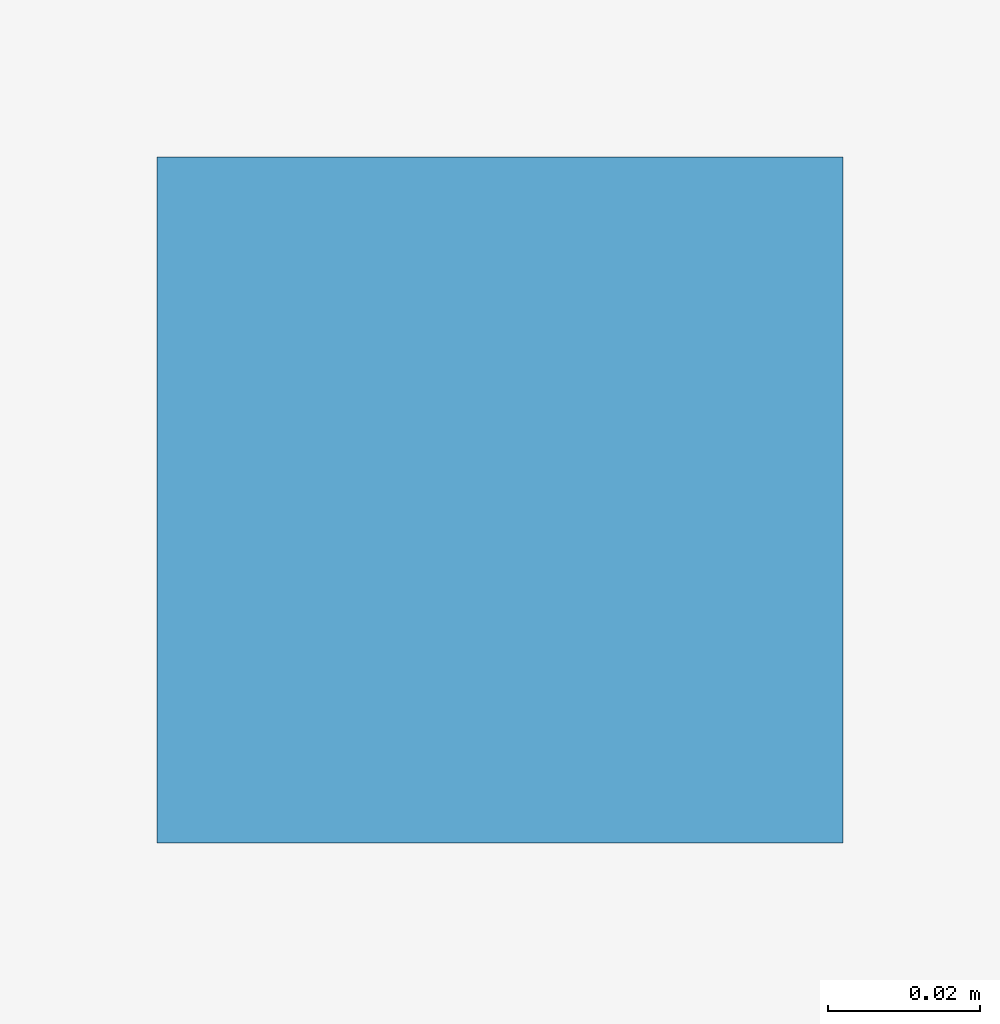
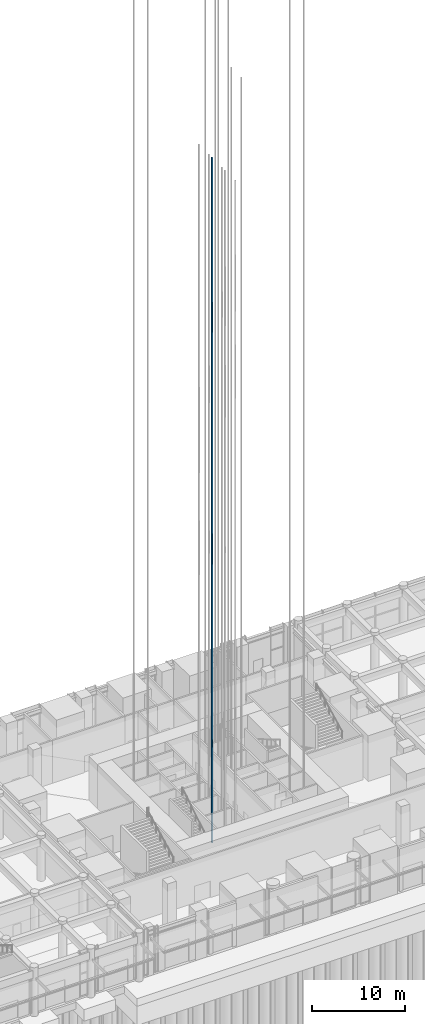
# One storey, part 30 of 46: 1 discrete accessory.
"""IFC4 building model written with IfcOpenShell, lengths in metres."""

from ifc_helpers import new_model, si_unit, direction, frame, origin, origin_2d, place, context, subcontext, project, spatial, rectangle, extrude, element, save


model = new_model("IFC4")

# Units and contexts
model_context = context("Model", 3, precision=1e-05, world=origin(), true_north=direction((0.0, 1.0)))
body_context = subcontext(model_context, "Body", "Model", "MODEL_VIEW")
ifc_project = project(units=[si_unit("LENGTHUNIT", "METRE"), si_unit("AREAUNIT", "SQUARE_METRE"), si_unit("VOLUMEUNIT", "CUBIC_METRE"), si_unit("PLANEANGLEUNIT", "RADIAN"), si_unit("MASSUNIT", "GRAM", prefix="KILO")], contexts=[model_context])

# Site, building, storey
site_placement = place(None, origin())
site = spatial("IfcSite", under=ifc_project, at=site_placement, CompositionType="ELEMENT")
building_placement = place(site_placement, origin())
building = spatial("IfcBuilding", under=site, at=building_placement, Name="Svetlomir Tower", CompositionType="ELEMENT")
storey_placement = place(building_placement, origin())
storey = spatial("IfcBuildingStorey", under=building, at=storey_placement, Name="L00", CompositionType="ELEMENT", Elevation=0.0)

# Discrete accessory
discrete_accessory_placement = place(storey_placement, frame((18.300048828125, 17.77490234375, 0.0), z_axis=(0.0, 0.0, 1.0), x_axis=(1.0, 0.0, 0.0)))
element("IfcDiscreteAccessory", 1, at=discrete_accessory_placement, inside=storey, Name="Lift LA2 guide rail 2", ObjectType="LIFT GUIDE RAIL", PredefinedType="USERDEFINED", context=body_context, shape_type="SweptSolid", body=[
    extrude(rectangle(XDim=0.090087890625, YDim=0.090087890625, at=origin_2d()), origin(), (0.0, 0.0, 1.0), 89.699951171875),
])

save(model, "model.ifc")
